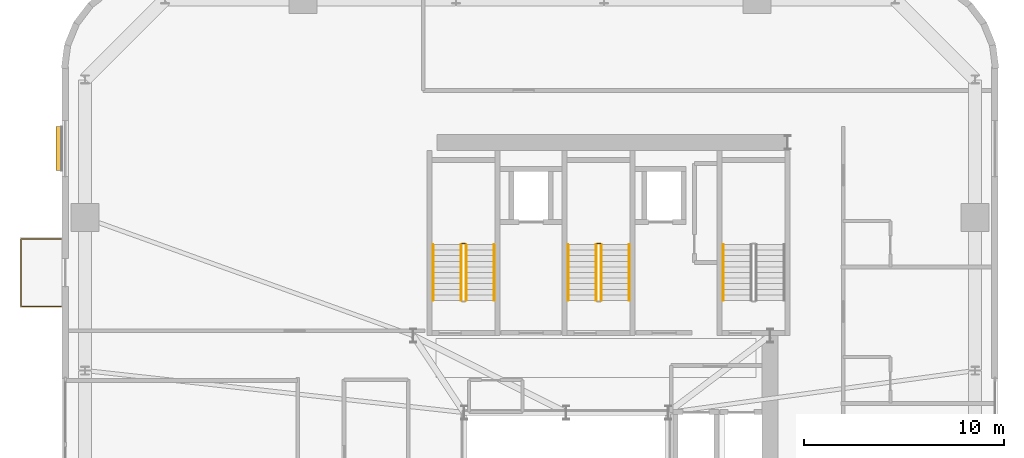
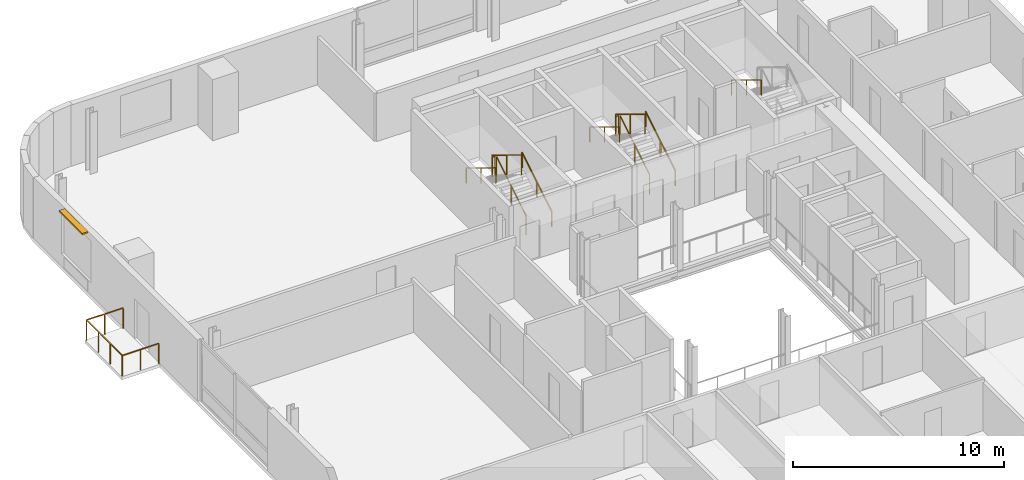
# One storey, part 15 of 16: 12 railings, 1 shading device.
"""IFC4 building model written with IfcOpenShell, lengths in metres."""

from ifc_helpers import new_model, si_unit, direction, frame, origin, origin_2d, place, context, subcontext, project, spatial, rectangle, extrude, source, transform, mapped, material, layer, layer_set, type_object, element, save


model = new_model("IFC4")

# Units and contexts
model_context = context("Model", 3, precision=1e-05, world=origin(), true_north=direction((0.0, 1.0)))
body_context = subcontext(model_context, "Body", "Model", "MODEL_VIEW")
ifc_project = project(units=[si_unit("LENGTHUNIT", "METRE"), si_unit("AREAUNIT", "SQUARE_METRE"), si_unit("VOLUMEUNIT", "CUBIC_METRE"), si_unit("PLANEANGLEUNIT", "RADIAN"), si_unit("MASSUNIT", "GRAM", prefix="KILO")], contexts=[model_context])

# Site, building, storey
site_placement = place(None, origin())
site = spatial("IfcSite", under=ifc_project, at=site_placement, CompositionType="ELEMENT")
building_placement = place(site_placement, origin())
building = spatial("IfcBuilding", under=site, at=building_placement, Name="Vardaveli Station Tower", CompositionType="ELEMENT")
storey_placement = place(building_placement, frame((0.0, 0.0, 226.050048828125)))
storey = spatial("IfcBuildingStorey", under=building, at=storey_placement, Name="L58", CompositionType="ELEMENT", Elevation=226.050048828125)

# Shading device
ifc_material_1 = material(Name="Anodised champagne aluminium sunshade", Category="aluminium")
ifc_layer = layer(ifc_material_1, 0.090087890625, Name="Anodised champagne aluminium sunshade")
ifc_layer_set = layer_set([ifc_layer], Name="Anodised champagne aluminium sunshade")
shading_device_type = type_object("IfcShadingDeviceType", Name="SHD-SUNSHADE", PredefinedType="USERDEFINED", material=ifc_layer_set)
shared_shape_1 = source(origin(), body_context, "Body", "SweptSolid", [
    extrude(rectangle(XDim=2.199951171875, YDim=0.320068359375, at=origin_2d()), origin(), (0.0, 0.0, 1.0), 0.090087890625),
])
shading_device_placement = place(storey_placement, frame((10.955078125, 39.9951171875, 3.40966796875), z_axis=(0.0, 0.0, 1.0), x_axis=(0.0, 1.0, 0.0)))
element("IfcShadingDevice", 1, at=shading_device_placement, inside=storey, type_object=shading_device_type, Name="SHD-SS-L58-W", ObjectType="SUNSHADE", PredefinedType="USERDEFINED", context=body_context, shape_type="MappedRepresentation", body=[
    mapped(shared_shape_1, transform((0.0, 0.0, 0.0), scale=1.0)),
])

# Railings
ifc_material_2 = material(Name="Laminated glass and stainless steel balustrade", Category="steel")
railing_type_1 = type_object("IfcRailingType", Name="RL-BAL-1200", PredefinedType="BALUSTRADE", material=ifc_material_2)
shared_shape_2 = source(origin(), body_context, "Body", "SweptSolid", [
    extrude(rectangle(XDim=0.048095703125, YDim=0.048095703125, at=origin_2d()), frame((0.0, 0.0, 1.17578125), z_axis=(-1.0, 0.0, 0.0), x_axis=(0.0, -1.0, 0.0)), (0.0, 0.0, 1.0), 2.0),
    extrude(rectangle(XDim=0.048095703125, YDim=0.048095703125, at=origin_2d()), frame((-2.0, 0.0, 1.17578125), z_axis=(0.0, 1.0, 0.0), x_axis=(-1.0, 0.0, 0.0)), (0.0, 0.0, 1.0), 3.3798828125),
    extrude(rectangle(XDim=0.048095703125, YDim=0.048095703125, at=origin_2d()), frame((-2.0, 3.3798828125, 1.17578125), z_axis=(1.0, 0.0, 0.0), x_axis=(0.0, 1.0, 0.0)), (0.0, 0.0, 1.0), 2.0),
    extrude(rectangle(XDim=0.0419921875, YDim=0.0419921875, at=origin_2d()), origin(), (0.0, 0.0, 1.0), 1.15185546875),
    extrude(rectangle(XDim=0.0419921875, YDim=0.0419921875, at=origin_2d()), frame((-1.0, 0.0, 0.0)), (0.0, 0.0, 1.0), 1.15185546875),
    extrude(rectangle(XDim=0.0419921875, YDim=0.0419921875, at=origin_2d()), frame((-2.0, 0.0, 0.0)), (0.0, 0.0, 1.0), 1.15185546875),
    extrude(rectangle(XDim=0.0419921875, YDim=0.0419921875, at=origin_2d()), frame((-2.0, 1.126708984375, 0.0)), (0.0, 0.0, 1.0), 1.15185546875),
    extrude(rectangle(XDim=0.0419921875, YDim=0.0419921875, at=origin_2d()), frame((-2.0, 2.253173828125, 0.0)), (0.0, 0.0, 1.0), 1.15185546875),
    extrude(rectangle(XDim=0.0419921875, YDim=0.0419921875, at=origin_2d()), frame((-2.0, 3.3798828125, 0.0)), (0.0, 0.0, 1.0), 1.15185546875),
    extrude(rectangle(XDim=0.0419921875, YDim=0.0419921875, at=origin_2d()), frame((-1.0, 3.3798828125, 0.0)), (0.0, 0.0, 1.0), 1.15185546875),
    extrude(rectangle(XDim=0.0419921875, YDim=0.0419921875, at=origin_2d()), frame((0.0, 3.3798828125, 0.0)), (0.0, 0.0, 1.0), 1.15185546875),
])
railing_placement = place(storey_placement, frame((11.06005859375, 32.099609375, 0.0)))
element("IfcRailing", 2, at=railing_placement, inside=storey, type_object=railing_type_1, Name="RL-LOG-L58-03", PredefinedType="BALUSTRADE", context=body_context, shape_type="MappedRepresentation", body=[
    mapped(shared_shape_2, transform((0.0, 0.0, 0.0), scale=1.0)),
])
ifc_material_3 = material(Name="Brushed AISI 316 stainless steel", Category="steel")
railing_type_2 = type_object("IfcRailingType", Name="RL-GUARD-1150", PredefinedType="GUARDRAIL", material=ifc_material_3)
shared_shape_3 = source(origin(), body_context, "Body", "SweptSolid", [
    extrude(rectangle(XDim=0.048095703125, YDim=0.048095703125, at=origin_2d()), frame((0.0, 0.0, 1.1259765625), z_axis=(-1.0, 0.0, 0.0), x_axis=(0.0, -1.0, 0.0)), (0.0, 0.0, 1.0), 0.14990234375),
    extrude(rectangle(XDim=0.0419921875, YDim=0.0419921875, at=origin_2d()), origin(), (0.0, 0.0, 1.0), 1.101806640625),
    extrude(rectangle(XDim=0.0419921875, YDim=0.0419921875, at=origin_2d()), frame((-0.14990234375, 0.0, 0.0)), (0.0, 0.0, 1.0), 1.101806640625),
])
for number, where, name in (
    (3, (31.25, 35.25, 1.875), "L58 ST-1 stair guard 2"),
    (4, (38.0, 35.25, 1.875), "L58 ST-2 stair guard 2"),
):
    element("IfcRailing", number, at=place(storey_placement, frame(where)), inside=storey, type_object=railing_type_2, Name=name, PredefinedType="GUARDRAIL", context=body_context, shape_type="MappedRepresentation", body=[
        mapped(shared_shape_3, transform((0.0, 0.0, 0.0), scale=1.0)),
    ])
shared_shape_4 = source(origin(), body_context, "Body", "SweptSolid", [
    extrude(rectangle(XDim=0.048095703125, YDim=0.048095703125, at=origin_2d()), frame((0.0, 0.0, 1.1259765625), z_axis=(0.0, 0.854169791009, 0.51999420009), x_axis=(-1.0, 0.0, 0.0)), (0.0, 0.0, 1.0), 3.278076171875),
    extrude(rectangle(XDim=0.0419921875, YDim=0.0419921875, at=origin_2d()), origin(), (0.0, 0.0, 1.0), 1.101806640625),
    extrude(rectangle(XDim=0.0419921875, YDim=0.0419921875, at=origin_2d()), frame((0.0, 1.39990234375, 0.852294921875)), (0.0, 0.0, 1.0), 1.101806640625),
    extrude(rectangle(XDim=0.0419921875, YDim=0.0419921875, at=origin_2d()), frame((0.0, 2.800048828125, 1.70458984375)), (0.0, 0.0, 1.0), 1.101806640625),
])
for number, where, name in (
    (5, (31.300048828125, 32.39990234375, 0.17041015625), "L58 ST-1 stair guard 1"),
    (6, (38.050048828125, 32.39990234375, 0.17041015625), "L58 ST-2 stair guard 1"),
):
    element("IfcRailing", number, at=place(storey_placement, frame(where)), inside=storey, type_object=railing_type_2, Name=name, PredefinedType="GUARDRAIL", context=body_context, shape_type="MappedRepresentation", body=[
        mapped(shared_shape_4, transform((0.0, 0.0, 0.0), scale=1.0)),
    ])
shared_shape_5 = source(origin(), body_context, "Body", "SweptSolid", [
    extrude(rectangle(XDim=0.048095703125, YDim=0.048095703125, at=origin_2d()), frame((0.0, 0.0, 1.1259765625), z_axis=(0.0, -0.854169791009, 0.51999420009), x_axis=(1.0, 0.0, 0.0)), (0.0, 0.0, 1.0), 3.278076171875),
    extrude(rectangle(XDim=0.0419921875, YDim=0.0419921875, at=origin_2d()), origin(), (0.0, 0.0, 1.0), 1.101806640625),
    extrude(rectangle(XDim=0.0419921875, YDim=0.0419921875, at=origin_2d()), frame((0.0, -1.39990234375, 0.852294921875)), (0.0, 0.0, 1.0), 1.101806640625),
    extrude(rectangle(XDim=0.0419921875, YDim=0.0419921875, at=origin_2d()), frame((0.0, -2.800048828125, 1.70458984375)), (0.0, 0.0, 1.0), 1.101806640625),
])
for number, where, name in (
    (7, (31.050048828125, 35.199951171875, 2.04541015625), "L58 ST-1 stair guard 3"),
    (8, (37.800048828125, 35.199951171875, 2.04541015625), "L58 ST-2 stair guard 3"),
):
    element("IfcRailing", number, at=place(storey_placement, frame(where)), inside=storey, type_object=railing_type_2, Name=name, PredefinedType="GUARDRAIL", context=body_context, shape_type="MappedRepresentation", body=[
        mapped(shared_shape_5, transform((0.0, 0.0, 0.0), scale=1.0)),
    ])
railing_type_3 = type_object("IfcRailingType", Name="RL-HAND-900", PredefinedType="HANDRAIL", material=ifc_material_3)
shared_shape_6 = source(origin(), body_context, "Body", "SweptSolid", [
    extrude(rectangle(XDim=0.048095703125, YDim=0.048095703125, at=origin_2d()), frame((0.0, 0.0, 0.8759765625), z_axis=(0.0, 0.854169791009, 0.51999420009), x_axis=(-1.0, 0.0, 0.0)), (0.0, 0.0, 1.0), 3.278076171875),
    extrude(rectangle(XDim=0.0419921875, YDim=0.0419921875, at=origin_2d()), origin(), (0.0, 0.0, 1.0), 0.851806640625),
    extrude(rectangle(XDim=0.0419921875, YDim=0.0419921875, at=origin_2d()), frame((0.0, 1.39990234375, 0.852294921875)), (0.0, 0.0, 1.0), 0.851806640625),
    extrude(rectangle(XDim=0.0419921875, YDim=0.0419921875, at=origin_2d()), frame((0.0, 2.800048828125, 1.70458984375)), (0.0, 0.0, 1.0), 0.851806640625),
])
for number, where, name in (
    (9, (32.699951171875, 32.39990234375, 0.17041015625), "L58 ST-1 stair handrail 1"),
    (10, (39.449951171875, 32.39990234375, 0.17041015625), "L58 ST-2 stair handrail 1"),
):
    element("IfcRailing", number, at=place(storey_placement, frame(where)), inside=storey, type_object=railing_type_3, Name=name, PredefinedType="HANDRAIL", context=body_context, shape_type="MappedRepresentation", body=[
        mapped(shared_shape_6, transform((0.0, 0.0, 0.0), scale=1.0)),
    ])
shared_shape_7 = source(origin(), body_context, "Body", "SweptSolid", [
    extrude(rectangle(XDim=0.048095703125, YDim=0.048095703125, at=origin_2d()), frame((0.0, 0.0, 0.8759765625), z_axis=(0.0, -0.854169791009, 0.51999420009), x_axis=(1.0, 0.0, 0.0)), (0.0, 0.0, 1.0), 3.278076171875),
    extrude(rectangle(XDim=0.0419921875, YDim=0.0419921875, at=origin_2d()), origin(), (0.0, 0.0, 1.0), 0.851806640625),
    extrude(rectangle(XDim=0.0419921875, YDim=0.0419921875, at=origin_2d()), frame((0.0, -1.39990234375, 0.852294921875)), (0.0, 0.0, 1.0), 0.851806640625),
    extrude(rectangle(XDim=0.0419921875, YDim=0.0419921875, at=origin_2d()), frame((0.0, -2.800048828125, 1.70458984375)), (0.0, 0.0, 1.0), 0.851806640625),
])
for number, where, name in (
    (11, (29.64990234375, 35.199951171875, 2.04541015625), "L58 ST-1 stair handrail 2"),
    (12, (36.39990234375, 35.199951171875, 2.04541015625), "L58 ST-2 stair handrail 2"),
    (13, (44.14990234375, 35.199951171875, 2.04541015625), "L58 ST-3 stair handrail 2"),
):
    element("IfcRailing", number, at=place(storey_placement, frame(where)), inside=storey, type_object=railing_type_3, Name=name, PredefinedType="HANDRAIL", context=body_context, shape_type="MappedRepresentation", body=[
        mapped(shared_shape_7, transform((0.0, 0.0, 0.0), scale=1.0)),
    ])

save(model, "model.ifc")
